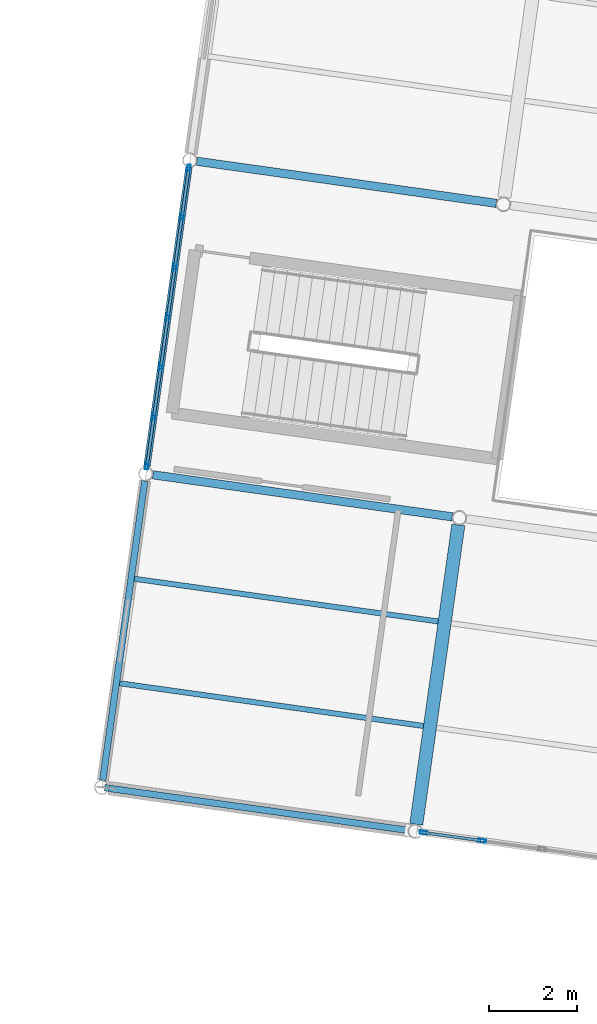
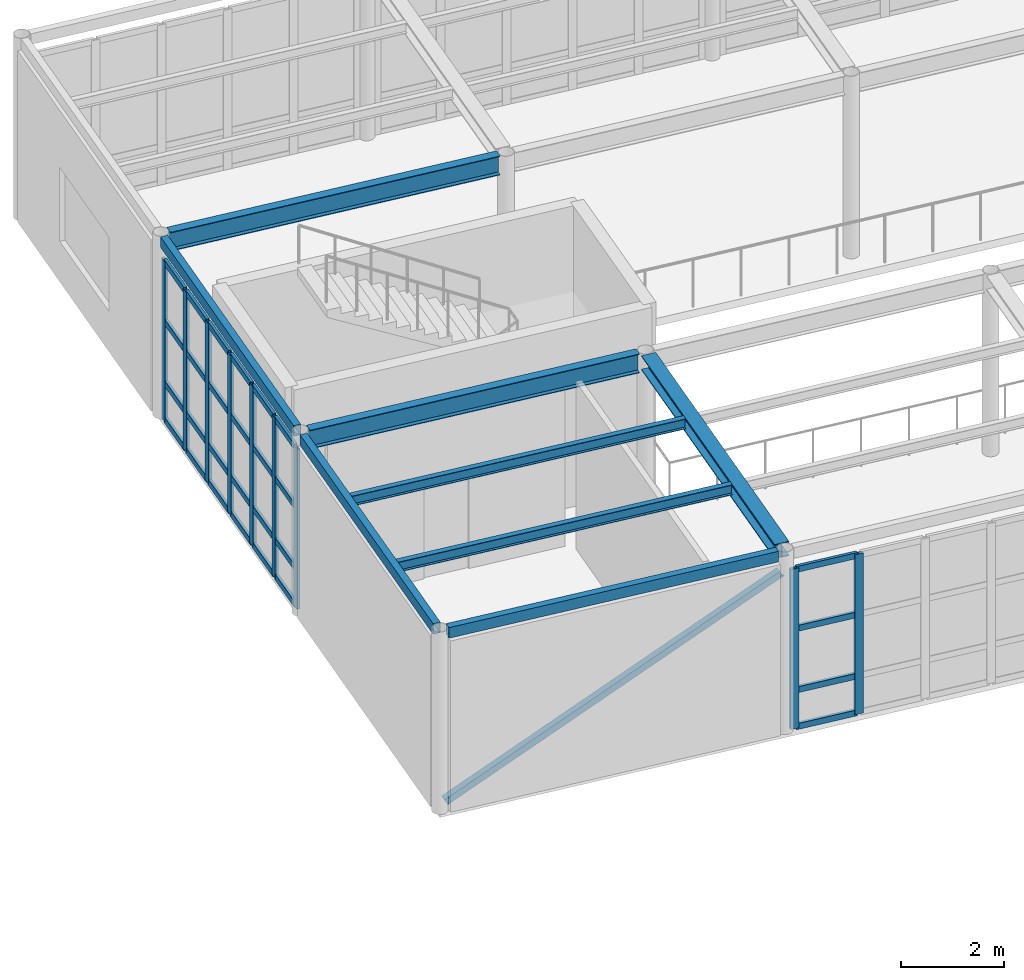
# One storey, part 31 of 80: 38 members, 8 beams, 2 elements without a shape of their own.
"""IFC4 building model written with IfcOpenShell, lengths in metres."""

from ifc_helpers import new_model, si_unit, direction, frame, origin, origin_2d, place, context, subcontext, project, spatial, hollow_rectangle, i_section, extrude, material, layer, layer_set, material_profile, profile_set, type_object, element, aggregate, save


model = new_model("IFC4")

# Units and contexts
model_context = context("Model", 3, precision=1e-05, world=origin(), true_north=direction((0.0, 1.0)))
body_context = subcontext(model_context, "Body", "Model", "MODEL_VIEW")
ifc_project = project(units=[si_unit("LENGTHUNIT", "METRE"), si_unit("AREAUNIT", "SQUARE_METRE"), si_unit("VOLUMEUNIT", "CUBIC_METRE"), si_unit("PLANEANGLEUNIT", "RADIAN"), si_unit("MASSUNIT", "GRAM", prefix="KILO")], contexts=[model_context])

# Site, building, storey
site_placement = place(None, origin())
site = spatial("IfcSite", under=ifc_project, at=site_placement, CompositionType="ELEMENT")
building_placement = place(site_placement, origin())
building = spatial("IfcBuilding", under=site, at=building_placement, Name="Kharisveld Research Institute", CompositionType="ELEMENT")
storey_placement = place(building_placement, frame((0.0, 0.0, 5.10009765625)))
storey = spatial("IfcBuildingStorey", under=building, at=storey_placement, Name="L01", CompositionType="ELEMENT", Elevation=5.10009765625)

# Beams
ifc_material_1 = material(Name="Steel S355JR", Category="steel")
ifc_material_profile_1 = material_profile(ifc_material_1, i_section(OverallWidth=0.300048828125, OverallDepth=0.340087890625, WebThickness=0.011962890625, FlangeThickness=0.021484375, at=origin_2d()))
ifc_profile_set_1 = profile_set([ifc_material_profile_1], Name="Steel S355JR")
beam_type_1 = type_object("IfcBeamType", Name="BM_ST_HEA300", PredefinedType="BEAM", material=ifc_profile_set_1)
beam_1_placement = place(storey_placement, frame((82.152587890625, 16.658447265625, 4.139892578125), z_axis=(0.139149289182, 0.990271414977, 0.0), x_axis=(-0.990271414977, 0.139149289182, 0.0)))
element("IfcBeam", 1, at=beam_1_placement, inside=storey, type_object=beam_type_1, Name="BM:V4:L01:V1_0", PredefinedType="BEAM", context=body_context, shape_type="SweptSolid", body=[
    extrude(i_section(OverallWidth=0.300048828125, OverallDepth=0.340087890625, WebThickness=0.011962890625, FlangeThickness=0.021484375, at=origin_2d()), origin(), (0.0, 0.0, 1.0), 6.8759765625),
])
ifc_material_2 = material(Name="Steel S355JR", Category="steel")
ifc_material_profile_2 = material_profile(ifc_material_2, i_section(OverallWidth=0.18994140625, OverallDepth=0.449951171875, WebThickness=0.009521484375, FlangeThickness=0.0146484375, at=origin_2d()))
ifc_profile_set_2 = profile_set([ifc_material_profile_2], Name="Steel S355JR")
beam_type_2 = type_object("IfcBeamType", Name="BM_ST_IPE450", PredefinedType="BEAM", material=ifc_profile_set_2)
beam_2_placement = place(storey_placement, frame((76.162353515625, 24.607421875, 4.0849609375), z_axis=(0.990267209571, -0.139179214138, 0.0), x_axis=(0.139179214138, 0.990267209571, 0.0)))
element("IfcBeam", 2, at=beam_2_placement, inside=storey, type_object=beam_type_2, Name="BM:V4:L01:U0_1", PredefinedType="BEAM", context=body_context, shape_type="SweptSolid", body=[
    extrude(i_section(OverallWidth=0.18994140625, OverallDepth=0.449951171875, WebThickness=0.009521484375, FlangeThickness=0.0146484375, at=origin_2d()), origin(), (0.0, 0.0, 1.0), 6.876220703125),
])
beam_3_placement = place(storey_placement, frame((77.16455078125, 31.7373046875, 4.0849609375), z_axis=(0.990266521775, -0.139184107758, 0.0), x_axis=(0.139184107758, 0.990266521775, 0.0)))
element("IfcBeam", 3, at=beam_3_placement, inside=storey, type_object=beam_type_2, Name="BM:V4:L01:U0_2", PredefinedType="BEAM", context=body_context, shape_type="SweptSolid", body=[
    extrude(i_section(OverallWidth=0.18994140625, OverallDepth=0.449951171875, WebThickness=0.009521484375, FlangeThickness=0.0146484375, at=origin_2d()), origin(), (0.0, 0.0, 1.0), 6.8759765625),
])

# Member
ifc_material_3 = material(Name="Steel S355J2H", Category="steel")
ifc_material_profile_3 = material_profile(ifc_material_3, hollow_rectangle(XDim=0.14990234375, YDim=0.14990234375, WallThickness=0.008056640625, at=origin_2d()))
ifc_profile_set_3 = profile_set([ifc_material_profile_3], Name="Steel S355J2H")
member_type_1 = type_object("IfcMemberType", Name="BR_SHS150", PredefinedType="BRACE", material=ifc_profile_set_3)
member_1_placement = place(storey_placement, frame((75.09912109375, 17.486083984375, 0.199951171875), z_axis=(0.882674200618, -0.124040082431, 0.453321424063), x_axis=(0.139160243851, 0.990269875605, 0.0)))
element("IfcMember", 4, at=member_1_placement, inside=storey, type_object=member_type_1, Name="MEM:V4:L01:BR_0_0", PredefinedType="BRACE", context=body_context, shape_type="SweptSolid", body=[
    extrude(hollow_rectangle(XDim=0.14990234375, YDim=0.14990234375, WallThickness=0.008056640625, at=origin_2d()), origin(), (0.0, 0.0, 1.0), 7.853271484375),
])

# Curtain wall, members
ifc_material_4 = material(Name="Thermally Broken Aluminium Curtain Wall", Category="aluminium")
ifc_layer_1 = layer(ifc_material_4, 0.159912109375)
ifc_layer_set_1 = layer_set([ifc_layer_1], Name="CW_SYS_01")
curtain_wall_type_1 = type_object("IfcCurtainWallType", Name="CW_SYS_01", PredefinedType="NOTDEFINED", material=ifc_layer_set_1)
curtain_wall_1_placement = place(storey_placement, origin())
curtain_wall_1 = element("IfcCurtainWall", 5, at=curtain_wall_1_placement, inside=storey, type_object=curtain_wall_type_1, Name="CW:V4:L01:W1", PredefinedType="NOTDEFINED")
ifc_material_5 = material(Name="Anodised Aluminium AW-6063-T6", Category="aluminium")
ifc_material_profile_4 = material_profile(ifc_material_5, hollow_rectangle(XDim=0.070068359375, YDim=0.179931640625, WallThickness=0.00439453125, at=origin_2d()))
ifc_profile_set_4 = profile_set([ifc_material_profile_4], Name="Anodised Aluminium AW-6063-T6")
member_type_2 = type_object("IfcMemberType", Name="CW_MUL_180", PredefinedType="MULLION", material=ifc_profile_set_4)
member_2_placement = place(storey_placement, frame((76.02880859375, 24.820068359375, 0.0), z_axis=(0.0, 0.0, 1.0), x_axis=(-0.990268048413, 0.139173245605, 0.0)))
member_2 = element("IfcMember", 6, at=member_2_placement, type_object=member_type_2, Name="CW-01 mullion 1", PredefinedType="MULLION", context=body_context, shape_type="SweptSolid", body=[
    extrude(hollow_rectangle(XDim=0.070068359375, YDim=0.179931640625, WallThickness=0.00439453125, at=origin_2d()), origin(), (0.0, 0.0, 1.0), 3.77978515625),
])
member_3_placement = place(storey_placement, frame((76.18359375, 25.921875, 0.0), z_axis=(0.0, 0.0, 1.0), x_axis=(-0.990268048413, 0.139173245605, 0.0)))
member_3 = element("IfcMember", 7, at=member_3_placement, type_object=member_type_2, Name="CW-01 mullion 2", PredefinedType="MULLION", context=body_context, shape_type="SweptSolid", body=[
    extrude(hollow_rectangle(XDim=0.070068359375, YDim=0.179931640625, WallThickness=0.00439453125, at=origin_2d()), origin(), (0.0, 0.0, 1.0), 3.77978515625),
])
member_4_placement = place(storey_placement, frame((76.34326171875, 27.058349609375, 0.0), z_axis=(0.0, 0.0, 1.0), x_axis=(-0.990268048413, 0.139173245605, 0.0)))
member_4 = element("IfcMember", 8, at=member_4_placement, type_object=member_type_2, Name="CW-01 mullion 3", PredefinedType="MULLION", context=body_context, shape_type="SweptSolid", body=[
    extrude(hollow_rectangle(XDim=0.070068359375, YDim=0.179931640625, WallThickness=0.00439453125, at=origin_2d()), origin(), (0.0, 0.0, 1.0), 3.77978515625),
])
member_5_placement = place(storey_placement, frame((76.503173828125, 28.19482421875, 0.0), z_axis=(0.0, 0.0, 1.0), x_axis=(-0.990268048413, 0.139173245605, 0.0)))
member_5 = element("IfcMember", 9, at=member_5_placement, type_object=member_type_2, Name="CW-01 mullion 4", PredefinedType="MULLION", context=body_context, shape_type="SweptSolid", body=[
    extrude(hollow_rectangle(XDim=0.070068359375, YDim=0.179931640625, WallThickness=0.00439453125, at=origin_2d()), origin(), (0.0, 0.0, 1.0), 3.77978515625),
])
member_6_placement = place(storey_placement, frame((76.662841796875, 29.331298828125, 0.0), z_axis=(0.0, 0.0, 1.0), x_axis=(-0.990268048413, 0.139173245605, 0.0)))
member_6 = element("IfcMember", 10, at=member_6_placement, type_object=member_type_2, Name="CW-01 mullion 5", PredefinedType="MULLION", context=body_context, shape_type="SweptSolid", body=[
    extrude(hollow_rectangle(XDim=0.070068359375, YDim=0.179931640625, WallThickness=0.00439453125, at=origin_2d()), origin(), (0.0, 0.0, 1.0), 3.77978515625),
])
member_7_placement = place(storey_placement, frame((76.822509765625, 30.4677734375, 0.0), z_axis=(0.0, 0.0, 1.0), x_axis=(-0.990268048413, 0.139173245605, 0.0)))
member_7 = element("IfcMember", 11, at=member_7_placement, type_object=member_type_2, Name="CW-01 mullion 6", PredefinedType="MULLION", context=body_context, shape_type="SweptSolid", body=[
    extrude(hollow_rectangle(XDim=0.070068359375, YDim=0.179931640625, WallThickness=0.00439453125, at=origin_2d()), origin(), (0.0, 0.0, 1.0), 3.77978515625),
])
member_8_placement = place(storey_placement, frame((76.977294921875, 31.56982421875, 0.0), z_axis=(0.0, 0.0, 1.0), x_axis=(-0.990268048413, 0.139173245605, 0.0)))
member_8 = element("IfcMember", 12, at=member_8_placement, type_object=member_type_2, Name="CW-01 mullion 7", PredefinedType="MULLION", context=body_context, shape_type="SweptSolid", body=[
    extrude(hollow_rectangle(XDim=0.070068359375, YDim=0.179931640625, WallThickness=0.00439453125, at=origin_2d()), origin(), (0.0, 0.0, 1.0), 3.77978515625),
])

ifc_material_6 = material(Name="Thermally Broken Aluminium Curtain Wall", Category="aluminium")
ifc_layer_2 = layer(ifc_material_6, 0.159912109375)
ifc_layer_set_2 = layer_set([ifc_layer_2], Name="CW_SYS_02")
curtain_wall_type_2 = type_object("IfcCurtainWallType", Name="CW_SYS_02", PredefinedType="NOTDEFINED", material=ifc_layer_set_2)
curtain_wall_2_placement = place(storey_placement, origin())
curtain_wall_2 = element("IfcCurtainWall", 13, at=curtain_wall_2_placement, inside=storey, type_object=curtain_wall_type_2, Name="CW:V4:L01:S2", PredefinedType="NOTDEFINED")
member_9_placement = place(storey_placement, frame((83.649169921875, 16.284423828125, 0.0), z_axis=(0.0, 0.0, 1.0), x_axis=(-0.139173245605, -0.990268048413, 0.0)))
member_9 = element("IfcMember", 14, at=member_9_placement, type_object=member_type_2, Name="CW-02 mullion 5", PredefinedType="MULLION", context=body_context, shape_type="SweptSolid", body=[
    extrude(hollow_rectangle(XDim=0.070068359375, YDim=0.179931640625, WallThickness=0.00439453125, at=origin_2d()), origin(), (0.0, 0.0, 1.0), 3.77978515625),
])
member_10_placement = place(storey_placement, frame((82.320068359375, 16.47119140625, 0.0), z_axis=(0.0, 0.0, 1.0), x_axis=(-0.139173245605, -0.990268048413, 0.0)))
member_10 = element("IfcMember", 15, at=member_10_placement, type_object=member_type_2, Name="CW-02 mullion 6", PredefinedType="MULLION", context=body_context, shape_type="SweptSolid", body=[
    extrude(hollow_rectangle(XDim=0.070068359375, YDim=0.179931640625, WallThickness=0.00439453125, at=origin_2d()), origin(), (0.0, 0.0, 1.0), 3.77978515625),
])

# Member
ifc_material_7 = material(Name="Anodised Aluminium AW-6063-T6", Category="aluminium")
ifc_material_profile_5 = material_profile(ifc_material_7, hollow_rectangle(XDim=0.06494140625, YDim=0.139892578125, WallThickness=0.00390625, at=origin_2d()))
ifc_profile_set_5 = profile_set([ifc_material_profile_5], Name="Anodised Aluminium AW-6063-T6")
member_type_3 = type_object("IfcMemberType", Name="CW_TRN_140", PredefinedType="USERDEFINED", material=ifc_profile_set_5)
member_11_placement = place(storey_placement, frame((76.03369140625, 24.854736328125, 0.032470703125), z_axis=(0.139093375843, 0.990279270103, 0.0), x_axis=(-0.990279270103, 0.139093375843, 0.0)))
member_11 = element("IfcMember", 16, at=member_11_placement, type_object=member_type_3, Name="CW-01 transom 1.1", ObjectType="TRANSOM", PredefinedType="USERDEFINED", context=body_context, shape_type="SweptSolid", body=[
    extrude(hollow_rectangle(XDim=0.06494140625, YDim=0.139892578125, WallThickness=0.00390625, at=origin_2d()), origin(), (0.0, 0.0, 1.0), 1.042724609375),
])

member_12_placement = place(storey_placement, frame((76.03369140625, 24.854736328125, 0.89990234375), z_axis=(0.139093375843, 0.990279270103, 0.0), x_axis=(-0.990279270103, 0.139093375843, 0.0)))
member_12 = element("IfcMember", 17, at=member_12_placement, type_object=member_type_3, Name="CW-01 transom 1.2", ObjectType="TRANSOM", PredefinedType="USERDEFINED", context=body_context, shape_type="SweptSolid", body=[
    extrude(hollow_rectangle(XDim=0.06494140625, YDim=0.139892578125, WallThickness=0.00390625, at=origin_2d()), origin(), (0.0, 0.0, 1.0), 1.042724609375),
])

member_13_placement = place(storey_placement, frame((76.03369140625, 24.854736328125, 2.349853515625), z_axis=(0.139093375843, 0.990279270103, 0.0), x_axis=(-0.990279270103, 0.139093375843, 0.0)))
member_13 = element("IfcMember", 18, at=member_13_placement, type_object=member_type_3, Name="CW-01 transom 1.3", ObjectType="TRANSOM", PredefinedType="USERDEFINED", context=body_context, shape_type="SweptSolid", body=[
    extrude(hollow_rectangle(XDim=0.06494140625, YDim=0.139892578125, WallThickness=0.00390625, at=origin_2d()), origin(), (0.0, 0.0, 1.0), 1.042724609375),
])

member_14_placement = place(storey_placement, frame((76.03369140625, 24.854736328125, 3.747314453125), z_axis=(0.139093375843, 0.990279270103, 0.0), x_axis=(-0.990279270103, 0.139093375843, 0.0)))
member_14 = element("IfcMember", 19, at=member_14_placement, type_object=member_type_3, Name="CW-01 transom 1.4", ObjectType="TRANSOM", PredefinedType="USERDEFINED", context=body_context, shape_type="SweptSolid", body=[
    extrude(hollow_rectangle(XDim=0.06494140625, YDim=0.139892578125, WallThickness=0.00390625, at=origin_2d()), origin(), (0.0, 0.0, 1.0), 1.042724609375),
])

member_15_placement = place(storey_placement, frame((76.1884765625, 25.95654296875, 0.032470703125), z_axis=(0.139105564095, 0.99027755808, 0.0), x_axis=(-0.99027755808, 0.139105564095, 0.0)))
member_15 = element("IfcMember", 20, at=member_15_placement, type_object=member_type_3, Name="CW-01 transom 2.1", ObjectType="TRANSOM", PredefinedType="USERDEFINED", context=body_context, shape_type="SweptSolid", body=[
    extrude(hollow_rectangle(XDim=0.06494140625, YDim=0.139892578125, WallThickness=0.00390625, at=origin_2d()), origin(), (0.0, 0.0, 1.0), 1.07763671875),
])

member_16_placement = place(storey_placement, frame((76.1884765625, 25.95654296875, 0.89990234375), z_axis=(0.139105564095, 0.99027755808, 0.0), x_axis=(-0.99027755808, 0.139105564095, 0.0)))
member_16 = element("IfcMember", 21, at=member_16_placement, type_object=member_type_3, Name="CW-01 transom 2.2", ObjectType="TRANSOM", PredefinedType="USERDEFINED", context=body_context, shape_type="SweptSolid", body=[
    extrude(hollow_rectangle(XDim=0.06494140625, YDim=0.139892578125, WallThickness=0.00390625, at=origin_2d()), origin(), (0.0, 0.0, 1.0), 1.07763671875),
])

member_17_placement = place(storey_placement, frame((76.1884765625, 25.95654296875, 2.349853515625), z_axis=(0.139105564095, 0.99027755808, 0.0), x_axis=(-0.99027755808, 0.139105564095, 0.0)))
member_17 = element("IfcMember", 22, at=member_17_placement, type_object=member_type_3, Name="CW-01 transom 2.3", ObjectType="TRANSOM", PredefinedType="USERDEFINED", context=body_context, shape_type="SweptSolid", body=[
    extrude(hollow_rectangle(XDim=0.06494140625, YDim=0.139892578125, WallThickness=0.00390625, at=origin_2d()), origin(), (0.0, 0.0, 1.0), 1.07763671875),
])

member_18_placement = place(storey_placement, frame((76.1884765625, 25.95654296875, 3.747314453125), z_axis=(0.139105564095, 0.99027755808, 0.0), x_axis=(-0.99027755808, 0.139105564095, 0.0)))
member_18 = element("IfcMember", 23, at=member_18_placement, type_object=member_type_3, Name="CW-01 transom 2.4", ObjectType="TRANSOM", PredefinedType="USERDEFINED", context=body_context, shape_type="SweptSolid", body=[
    extrude(hollow_rectangle(XDim=0.06494140625, YDim=0.139892578125, WallThickness=0.00390625, at=origin_2d()), origin(), (0.0, 0.0, 1.0), 1.07763671875),
])

member_19_placement = place(storey_placement, frame((76.34814453125, 27.093017578125, 0.032470703125), z_axis=(0.139327725936, 0.990246325308, 0.0), x_axis=(-0.990246325308, 0.139327725936, 0.0)))
member_19 = element("IfcMember", 24, at=member_19_placement, type_object=member_type_3, Name="CW-01 transom 3.1", ObjectType="TRANSOM", PredefinedType="USERDEFINED", context=body_context, shape_type="SweptSolid", body=[
    extrude(hollow_rectangle(XDim=0.06494140625, YDim=0.139892578125, WallThickness=0.00390625, at=origin_2d()), origin(), (0.0, 0.0, 1.0), 1.07763671875),
])

member_20_placement = place(storey_placement, frame((76.34814453125, 27.093017578125, 0.89990234375), z_axis=(0.139327725936, 0.990246325308, 0.0), x_axis=(-0.990246325308, 0.139327725936, 0.0)))
member_20 = element("IfcMember", 25, at=member_20_placement, type_object=member_type_3, Name="CW-01 transom 3.2", ObjectType="TRANSOM", PredefinedType="USERDEFINED", context=body_context, shape_type="SweptSolid", body=[
    extrude(hollow_rectangle(XDim=0.06494140625, YDim=0.139892578125, WallThickness=0.00390625, at=origin_2d()), origin(), (0.0, 0.0, 1.0), 1.07763671875),
])

member_21_placement = place(storey_placement, frame((76.34814453125, 27.093017578125, 2.349853515625), z_axis=(0.139327725936, 0.990246325308, 0.0), x_axis=(-0.990246325308, 0.139327725936, 0.0)))
member_21 = element("IfcMember", 26, at=member_21_placement, type_object=member_type_3, Name="CW-01 transom 3.3", ObjectType="TRANSOM", PredefinedType="USERDEFINED", context=body_context, shape_type="SweptSolid", body=[
    extrude(hollow_rectangle(XDim=0.06494140625, YDim=0.139892578125, WallThickness=0.00390625, at=origin_2d()), origin(), (0.0, 0.0, 1.0), 1.07763671875),
])

member_22_placement = place(storey_placement, frame((76.34814453125, 27.093017578125, 3.747314453125), z_axis=(0.139327725936, 0.990246325308, 0.0), x_axis=(-0.990246325308, 0.139327725936, 0.0)))
member_22 = element("IfcMember", 27, at=member_22_placement, type_object=member_type_3, Name="CW-01 transom 3.4", ObjectType="TRANSOM", PredefinedType="USERDEFINED", context=body_context, shape_type="SweptSolid", body=[
    extrude(hollow_rectangle(XDim=0.06494140625, YDim=0.139892578125, WallThickness=0.00390625, at=origin_2d()), origin(), (0.0, 0.0, 1.0), 1.07763671875),
])

member_23_placement = place(storey_placement, frame((76.508056640625, 28.2294921875, 0.032470703125), z_axis=(0.139105564095, 0.99027755808, 0.0), x_axis=(-0.99027755808, 0.139105564095, 0.0)))
member_23 = element("IfcMember", 28, at=member_23_placement, type_object=member_type_3, Name="CW-01 transom 4.1", ObjectType="TRANSOM", PredefinedType="USERDEFINED", context=body_context, shape_type="SweptSolid", body=[
    extrude(hollow_rectangle(XDim=0.06494140625, YDim=0.139892578125, WallThickness=0.00390625, at=origin_2d()), origin(), (0.0, 0.0, 1.0), 1.07763671875),
])

member_24_placement = place(storey_placement, frame((76.508056640625, 28.2294921875, 0.89990234375), z_axis=(0.139105564095, 0.99027755808, 0.0), x_axis=(-0.99027755808, 0.139105564095, 0.0)))
member_24 = element("IfcMember", 29, at=member_24_placement, type_object=member_type_3, Name="CW-01 transom 4.2", ObjectType="TRANSOM", PredefinedType="USERDEFINED", context=body_context, shape_type="SweptSolid", body=[
    extrude(hollow_rectangle(XDim=0.06494140625, YDim=0.139892578125, WallThickness=0.00390625, at=origin_2d()), origin(), (0.0, 0.0, 1.0), 1.07763671875),
])

member_25_placement = place(storey_placement, frame((76.508056640625, 28.2294921875, 2.349853515625), z_axis=(0.139105564095, 0.99027755808, 0.0), x_axis=(-0.99027755808, 0.139105564095, 0.0)))
member_25 = element("IfcMember", 30, at=member_25_placement, type_object=member_type_3, Name="CW-01 transom 4.3", ObjectType="TRANSOM", PredefinedType="USERDEFINED", context=body_context, shape_type="SweptSolid", body=[
    extrude(hollow_rectangle(XDim=0.06494140625, YDim=0.139892578125, WallThickness=0.00390625, at=origin_2d()), origin(), (0.0, 0.0, 1.0), 1.07763671875),
])

member_26_placement = place(storey_placement, frame((76.508056640625, 28.2294921875, 3.747314453125), z_axis=(0.139105564095, 0.99027755808, 0.0), x_axis=(-0.99027755808, 0.139105564095, 0.0)))
member_26 = element("IfcMember", 31, at=member_26_placement, type_object=member_type_3, Name="CW-01 transom 4.4", ObjectType="TRANSOM", PredefinedType="USERDEFINED", context=body_context, shape_type="SweptSolid", body=[
    extrude(hollow_rectangle(XDim=0.06494140625, YDim=0.139892578125, WallThickness=0.00390625, at=origin_2d()), origin(), (0.0, 0.0, 1.0), 1.07763671875),
])

member_27_placement = place(storey_placement, frame((76.667724609375, 29.365966796875, 0.032470703125), z_axis=(0.139074362191, 0.990281940551, 0.0), x_axis=(-0.990281940551, 0.139074362191, 0.0)))
member_27 = element("IfcMember", 32, at=member_27_placement, type_object=member_type_3, Name="CW-01 transom 5.1", ObjectType="TRANSOM", PredefinedType="USERDEFINED", context=body_context, shape_type="SweptSolid", body=[
    extrude(hollow_rectangle(XDim=0.06494140625, YDim=0.139892578125, WallThickness=0.00390625, at=origin_2d()), origin(), (0.0, 0.0, 1.0), 1.077880859375),
])

member_28_placement = place(storey_placement, frame((76.667724609375, 29.365966796875, 0.89990234375), z_axis=(0.139074362191, 0.990281940551, 0.0), x_axis=(-0.990281940551, 0.139074362191, 0.0)))
member_28 = element("IfcMember", 33, at=member_28_placement, type_object=member_type_3, Name="CW-01 transom 5.2", ObjectType="TRANSOM", PredefinedType="USERDEFINED", context=body_context, shape_type="SweptSolid", body=[
    extrude(hollow_rectangle(XDim=0.06494140625, YDim=0.139892578125, WallThickness=0.00390625, at=origin_2d()), origin(), (0.0, 0.0, 1.0), 1.077880859375),
])

member_29_placement = place(storey_placement, frame((76.667724609375, 29.365966796875, 2.349853515625), z_axis=(0.139074362191, 0.990281940551, 0.0), x_axis=(-0.990281940551, 0.139074362191, 0.0)))
member_29 = element("IfcMember", 34, at=member_29_placement, type_object=member_type_3, Name="CW-01 transom 5.3", ObjectType="TRANSOM", PredefinedType="USERDEFINED", context=body_context, shape_type="SweptSolid", body=[
    extrude(hollow_rectangle(XDim=0.06494140625, YDim=0.139892578125, WallThickness=0.00390625, at=origin_2d()), origin(), (0.0, 0.0, 1.0), 1.077880859375),
])

member_30_placement = place(storey_placement, frame((76.667724609375, 29.365966796875, 3.747314453125), z_axis=(0.139074362191, 0.990281940551, 0.0), x_axis=(-0.990281940551, 0.139074362191, 0.0)))
member_30 = element("IfcMember", 35, at=member_30_placement, type_object=member_type_3, Name="CW-01 transom 5.4", ObjectType="TRANSOM", PredefinedType="USERDEFINED", context=body_context, shape_type="SweptSolid", body=[
    extrude(hollow_rectangle(XDim=0.06494140625, YDim=0.139892578125, WallThickness=0.00390625, at=origin_2d()), origin(), (0.0, 0.0, 1.0), 1.077880859375),
])

member_31_placement = place(storey_placement, frame((76.827392578125, 30.50244140625, 0.032470703125), z_axis=(0.139061129206, 0.99028379889, 0.0), x_axis=(-0.99028379889, 0.139061129206, 0.0)))
member_31 = element("IfcMember", 36, at=member_31_placement, type_object=member_type_3, Name="CW-01 transom 6.1", ObjectType="TRANSOM", PredefinedType="USERDEFINED", context=body_context, shape_type="SweptSolid", body=[
    extrude(hollow_rectangle(XDim=0.06494140625, YDim=0.139892578125, WallThickness=0.00390625, at=origin_2d()), origin(), (0.0, 0.0, 1.0), 1.04296875),
])

member_32_placement = place(storey_placement, frame((76.827392578125, 30.50244140625, 0.89990234375), z_axis=(0.139061129206, 0.99028379889, 0.0), x_axis=(-0.99028379889, 0.139061129206, 0.0)))
member_32 = element("IfcMember", 37, at=member_32_placement, type_object=member_type_3, Name="CW-01 transom 6.2", ObjectType="TRANSOM", PredefinedType="USERDEFINED", context=body_context, shape_type="SweptSolid", body=[
    extrude(hollow_rectangle(XDim=0.06494140625, YDim=0.139892578125, WallThickness=0.00390625, at=origin_2d()), origin(), (0.0, 0.0, 1.0), 1.04296875),
])

member_33_placement = place(storey_placement, frame((76.827392578125, 30.50244140625, 2.349853515625), z_axis=(0.139061129206, 0.99028379889, 0.0), x_axis=(-0.99028379889, 0.139061129206, 0.0)))
member_33 = element("IfcMember", 38, at=member_33_placement, type_object=member_type_3, Name="CW-01 transom 6.3", ObjectType="TRANSOM", PredefinedType="USERDEFINED", context=body_context, shape_type="SweptSolid", body=[
    extrude(hollow_rectangle(XDim=0.06494140625, YDim=0.139892578125, WallThickness=0.00390625, at=origin_2d()), origin(), (0.0, 0.0, 1.0), 1.04296875),
])

member_34_placement = place(storey_placement, frame((76.827392578125, 30.50244140625, 3.747314453125), z_axis=(0.139061129206, 0.99028379889, 0.0), x_axis=(-0.99028379889, 0.139061129206, 0.0)))
member_34 = element("IfcMember", 39, at=member_34_placement, type_object=member_type_3, Name="CW-01 transom 6.4", ObjectType="TRANSOM", PredefinedType="USERDEFINED", context=body_context, shape_type="SweptSolid", body=[
    extrude(hollow_rectangle(XDim=0.06494140625, YDim=0.139892578125, WallThickness=0.00390625, at=origin_2d()), origin(), (0.0, 0.0, 1.0), 1.04296875),
])

aggregate(curtain_wall_1, [member_2, member_3, member_4, member_5, member_6, member_7, member_8, member_11, member_12, member_13, member_14, member_15, member_16, member_17, member_18, member_19, member_20, member_21, member_22, member_23, member_24, member_25, member_26, member_27, member_28, member_29, member_30, member_31, member_32, member_33, member_34])

member_35_placement = place(storey_placement, frame((83.614501953125, 16.289306640625, 0.032470703125), z_axis=(-0.99027311215, 0.139137210525, 0.0), x_axis=(-0.139137210525, -0.99027311215, 0.0)))
member_35 = element("IfcMember", 40, at=member_35_placement, type_object=member_type_3, Name="CW-02 transom 5.1", ObjectType="TRANSOM", PredefinedType="USERDEFINED", context=body_context, shape_type="SweptSolid", body=[
    extrude(hollow_rectangle(XDim=0.06494140625, YDim=0.139892578125, WallThickness=0.00390625, at=origin_2d()), origin(), (0.0, 0.0, 1.0), 1.272216796875),
])

member_36_placement = place(storey_placement, frame((83.614501953125, 16.289306640625, 0.89990234375), z_axis=(-0.99027311215, 0.139137210525, 0.0), x_axis=(-0.139137210525, -0.99027311215, 0.0)))
member_36 = element("IfcMember", 41, at=member_36_placement, type_object=member_type_3, Name="CW-02 transom 5.2", ObjectType="TRANSOM", PredefinedType="USERDEFINED", context=body_context, shape_type="SweptSolid", body=[
    extrude(hollow_rectangle(XDim=0.06494140625, YDim=0.139892578125, WallThickness=0.00390625, at=origin_2d()), origin(), (0.0, 0.0, 1.0), 1.272216796875),
])

member_37_placement = place(storey_placement, frame((83.614501953125, 16.289306640625, 2.349853515625), z_axis=(-0.99027311215, 0.139137210525, 0.0), x_axis=(-0.139137210525, -0.99027311215, 0.0)))
member_37 = element("IfcMember", 42, at=member_37_placement, type_object=member_type_3, Name="CW-02 transom 5.3", ObjectType="TRANSOM", PredefinedType="USERDEFINED", context=body_context, shape_type="SweptSolid", body=[
    extrude(hollow_rectangle(XDim=0.06494140625, YDim=0.139892578125, WallThickness=0.00390625, at=origin_2d()), origin(), (0.0, 0.0, 1.0), 1.272216796875),
])

member_38_placement = place(storey_placement, frame((83.614501953125, 16.289306640625, 3.747314453125), z_axis=(-0.99027311215, 0.139137210525, 0.0), x_axis=(-0.139137210525, -0.99027311215, 0.0)))
member_38 = element("IfcMember", 43, at=member_38_placement, type_object=member_type_3, Name="CW-02 transom 5.4", ObjectType="TRANSOM", PredefinedType="USERDEFINED", context=body_context, shape_type="SweptSolid", body=[
    extrude(hollow_rectangle(XDim=0.06494140625, YDim=0.139892578125, WallThickness=0.00390625, at=origin_2d()), origin(), (0.0, 0.0, 1.0), 1.272216796875),
])

aggregate(curtain_wall_2, [member_9, member_10, member_35, member_36, member_37, member_38])

# Beams
ifc_material_8 = material(Name="Steel S355JR", Category="steel")
ifc_material_profile_6 = material_profile(ifc_material_8, i_section(OverallWidth=0.1201171875, OverallDepth=0.239990234375, WebThickness=0.006103515625, FlangeThickness=0.009765625, at=origin_2d()))
ifc_profile_set_6 = profile_set([ifc_material_profile_6], Name="Steel S355JR")
beam_type_3 = type_object("IfcBeamType", Name="JS_ST_IPE240", PredefinedType="JOIST", material=ifc_profile_set_6)
for number, where, z_axis, x_axis, name in (
    (44, (75.408203125, 19.8662109375, 4.18994140625), (0.990268943271, -0.139166878215, 0.0), (0.139166878215, 0.990268943271, 0.0), "BM:V4:L01:J_0_0_R1"),
    (45, (75.7421875, 22.242919921875, 4.18994140625), (0.990268943271, -0.139166878215, 0.0), (0.139166878215, 0.990268943271, 0.0), "BM:V4:L01:J_0_0_R2"),
):
    element("IfcBeam", number, at=place(storey_placement, frame(where, z_axis=z_axis, x_axis=x_axis)), inside=storey, type_object=beam_type_3, Name=name, PredefinedType="JOIST", context=body_context, shape_type="SweptSolid", body=[
        extrude(i_section(OverallWidth=0.1201171875, OverallDepth=0.239990234375, WebThickness=0.006103515625, FlangeThickness=0.009765625, at=origin_2d()), origin(), (0.0, 0.0, 1.0), 6.97509765625),
    ])
ifc_material_9 = material(Name="Steel S355J2H", Category="steel")
ifc_material_profile_7 = material_profile(ifc_material_9, hollow_rectangle(XDim=0.14990234375, YDim=0.25, WallThickness=0.010009765625, at=origin_2d()))
ifc_profile_set_7 = profile_set([ifc_material_profile_7], Name="Steel S355J2H")
beam_type_4 = type_object("IfcBeamType", Name="SP_ST_RHS250", PredefinedType="SPANDREL", material=ifc_profile_set_7)
for number, where, z_axis, x_axis, name in (
    (46, (75.160400390625, 17.4775390625, 4.184814453125), (0.990266521775, -0.139184107758, 0.0), (0.139184107758, 0.990266521775, 0.0), "BM:V4:L01:U0_0"),
    (47, (75.0224609375, 17.660400390625, 4.184814453125), (0.139184107758, 0.990266521775, 0.0), (-0.990266521775, 0.139184107758, 0.0), "BM:V4:L01:V0_0"),
    (48, (76.024658203125, 24.790283203125, 4.184814453125), (0.139149289182, 0.990271414977, 0.0), (-0.990271414977, 0.139149289182, 0.0), "BM:V4:L01:V0_1"),
):
    element("IfcBeam", number, at=place(storey_placement, frame(where, z_axis=z_axis, x_axis=x_axis)), inside=storey, type_object=beam_type_4, Name=name, PredefinedType="SPANDREL", context=body_context, shape_type="SweptSolid", body=[
        extrude(hollow_rectangle(XDim=0.14990234375, YDim=0.25, WallThickness=0.010009765625, at=origin_2d()), origin(), (0.0, 0.0, 1.0), 6.8759765625),
    ])

save(model, "model.ifc")
